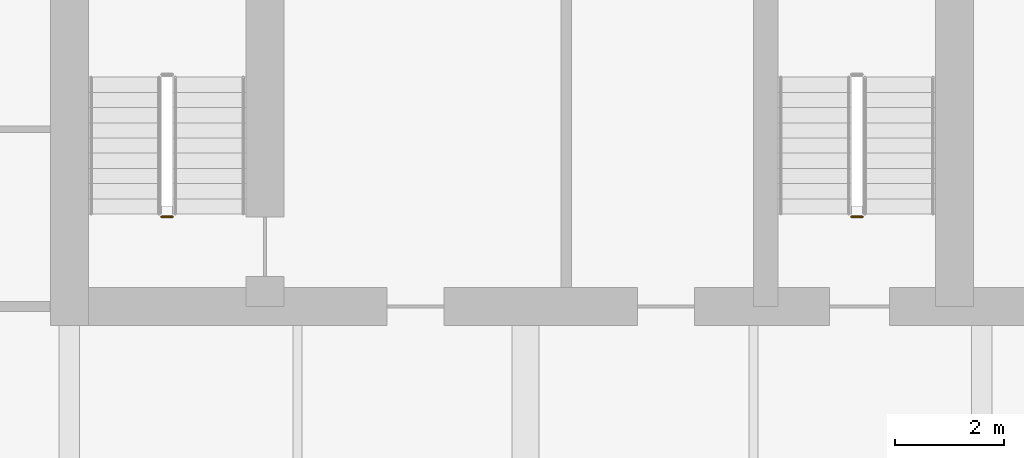
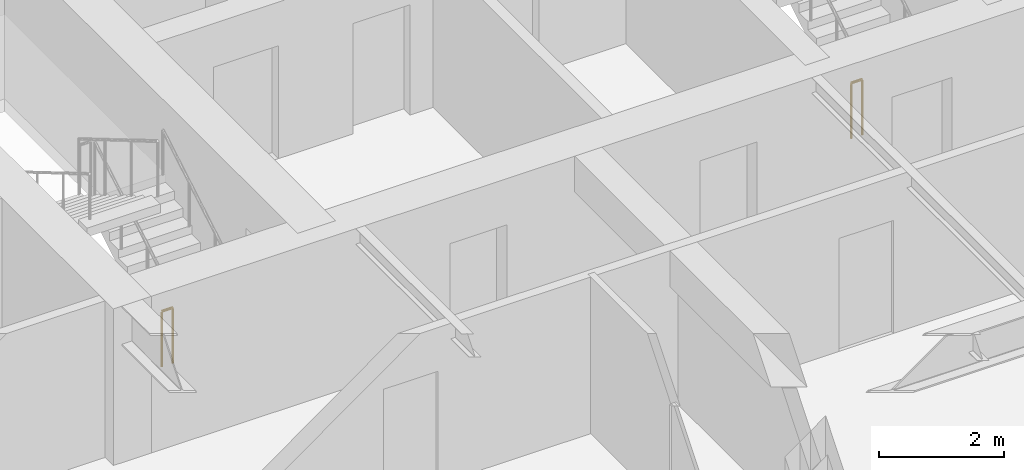
# One storey, part 14 of 17: 2 railings.
"""IFC4 building model written with IfcOpenShell, lengths in metres."""

from ifc_helpers import new_model, si_unit, direction, frame, origin, origin_2d, place, context, subcontext, project, spatial, circle, extrude, material, type_object, element, save


model = new_model("IFC4")

# Units and contexts
model_context = context("Model", 3, precision=1e-05, world=origin(), true_north=direction((0.0, 1.0)))
body_context = subcontext(model_context, "Body", "Model", "MODEL_VIEW")
ifc_project = project(units=[si_unit("LENGTHUNIT", "METRE"), si_unit("AREAUNIT", "SQUARE_METRE"), si_unit("VOLUMEUNIT", "CUBIC_METRE"), si_unit("PLANEANGLEUNIT", "RADIAN"), si_unit("MASSUNIT", "GRAM", prefix="KILO")], contexts=[model_context])

# Site, building, storey
site_placement = place(None, origin())
site = spatial("IfcSite", under=ifc_project, at=site_placement, CompositionType="ELEMENT")
building_placement = place(site_placement, origin())
building = spatial("IfcBuilding", under=site, at=building_placement, Name="Caelmar Bay Residences", CompositionType="ELEMENT")
storey_placement = place(building_placement, frame((0.0, 0.0, 243.0)))
storey = spatial("IfcBuildingStorey", under=building, at=storey_placement, Name="L68", CompositionType="ELEMENT", Elevation=243.0)

# Railings
ifc_material = material(Name="Painted galvanized steel stair guard 1100 mm", Category="steel")
railing_type = type_object("IfcRailingType", Name="RL-GRD-1100", PredefinedType="GUARDRAIL", material=ifc_material)
for number, where, name in (
    (1, (20.199951171875, 38.64990234375, 0.0), "L68 ST1 stair guard 4"),
    (2, (32.89990234375, 38.64990234375, 0.0), "L68 ST3 stair guard 4"),
):
    element("IfcRailing", number, at=place(storey_placement, frame(where)), inside=storey, type_object=railing_type, Name=name, PredefinedType="GUARDRAIL", context=body_context, shape_type="SweptSolid", body=[
        extrude(circle(Radius=0.02392578125, at=origin_2d()), frame((0.0, 0.0, 1.076171875), z_axis=(-1.0, 0.0, 0.0), x_axis=(0.0, -1.0, 0.0)), (0.0, 0.0, 1.0), 0.199951171875),
        extrude(circle(Radius=0.02099609375, at=origin_2d()), origin(), (0.0, 0.0, 1.0), 1.052001953125),
        extrude(circle(Radius=0.02099609375, at=origin_2d()), frame((-0.199951171875, 0.0, 0.0)), (0.0, 0.0, 1.0), 1.052001953125),
    ])

save(model, "model.ifc")
